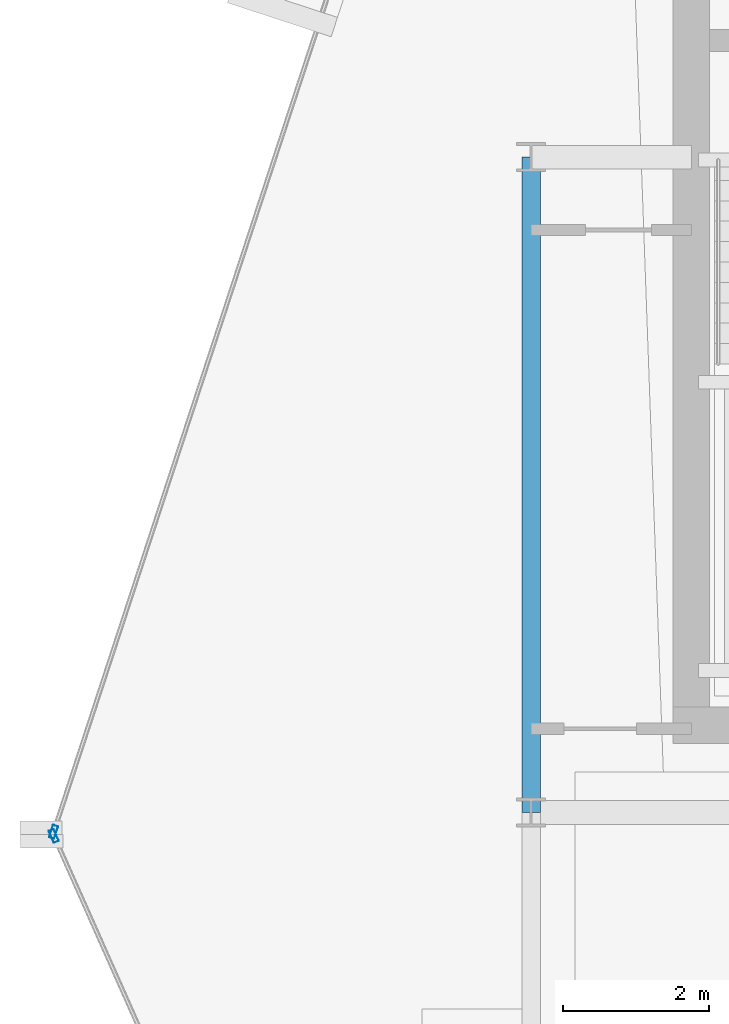
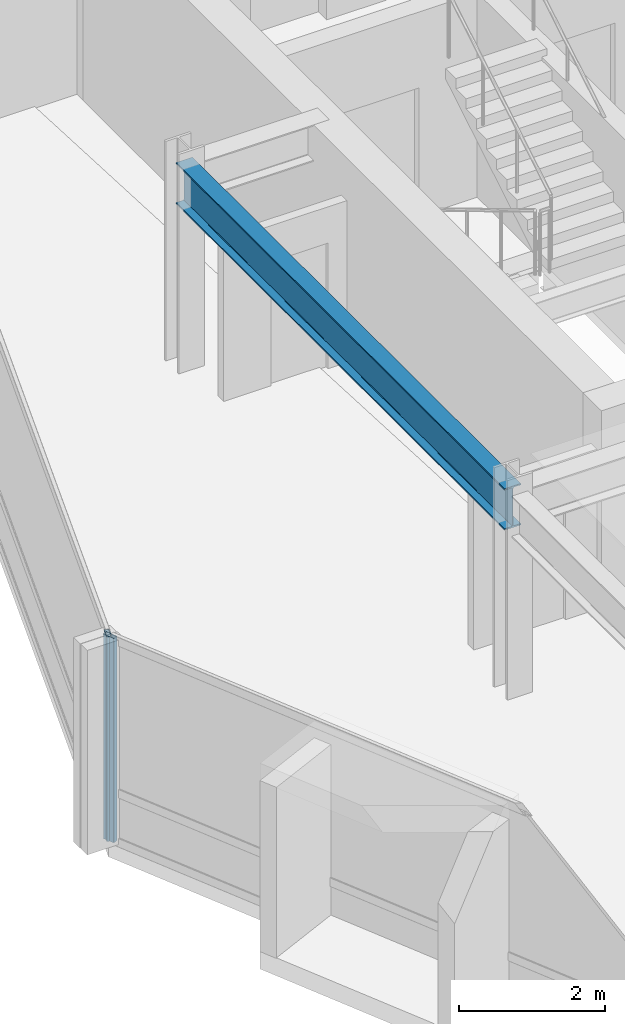
# One storey, part 6 of 28: 2 members, 1 beam, 2 elements without a shape of their own.
"""IFC4 building model written with IfcOpenShell, lengths in metres."""

from ifc_helpers import new_model, si_unit, direction, frame, origin, origin_2d, place, context, subcontext, project, spatial, hollow_rectangle, i_section, extrude, material, layer, layer_set, material_profile, profile_set, type_object, element, aggregate, save


model = new_model("IFC4")

# Units and contexts
model_context = context("Model", 3, precision=1e-05, world=origin(), true_north=direction((0.0, 1.0)))
body_context = subcontext(model_context, "Body", "Model", "MODEL_VIEW")
ifc_project = project(units=[si_unit("LENGTHUNIT", "METRE"), si_unit("AREAUNIT", "SQUARE_METRE"), si_unit("VOLUMEUNIT", "CUBIC_METRE"), si_unit("PLANEANGLEUNIT", "RADIAN"), si_unit("MASSUNIT", "GRAM", prefix="KILO")], contexts=[model_context])

# Site, building, storey
site_placement = place(None, origin())
site = spatial("IfcSite", under=ifc_project, at=site_placement, CompositionType="ELEMENT")
building_placement = place(site_placement, origin())
building = spatial("IfcBuilding", under=site, at=building_placement, Name="Solvaryn Broadcast Tower", CompositionType="ELEMENT")
storey_placement = place(building_placement, frame((0.0, 0.0, 213.60009765625)))
storey = spatial("IfcBuildingStorey", under=building, at=storey_placement, Name="L53", CompositionType="ELEMENT", Elevation=213.60009765625)

# Beam
ifc_material_1 = material(Name="Steel ASTM A992 Grade 50", Category="steel")
ifc_material_profile_1 = material_profile(ifc_material_1, i_section(OverallWidth=0.256103515625, OverallDepth=0.693115234375, WebThickness=0.014404296875, FlangeThickness=0.023681640625, FilletRadius=0.01611328125, at=origin_2d()))
ifc_profile_set_1 = profile_set([ifc_material_profile_1], Name="Steel ASTM A992 Grade 50")
beam_type = type_object("IfcBeamType", Name="BM-SP3-W27X114", PredefinedType="USERDEFINED", material=ifc_profile_set_1)
beam_placement = place(storey_placement, frame((9.0, 27.0, 3.073486328125), z_axis=(0.0, 1.0, 0.0), x_axis=(-1.0, 0.0, 0.0)))
element("IfcBeam", 1, at=beam_placement, inside=storey, type_object=beam_type, Name="L53 Spandrel Beam Y (27-36 @ X=9)", ObjectType="SPANDREL", PredefinedType="USERDEFINED", context=body_context, shape_type="SweptSolid", body=[
    extrude(i_section(OverallWidth=0.256103515625, OverallDepth=0.693115234375, WebThickness=0.014404296875, FlangeThickness=0.023681640625, FilletRadius=0.01611328125, at=origin_2d()), origin(), (0.0, 0.0, 1.0), 9.0),
])

# Curtain wall, member
ifc_material_2 = material(Name="Aluminium and Terracotta Unitised Curtain Wall", Category="masonry")
ifc_layer = layer(ifc_material_2, 0.199951171875)
ifc_layer_set = layer_set([ifc_layer], Name="CW-SYS2-LOWMID")
curtain_wall_type = type_object("IfcCurtainWallType", Name="CW-SYS2-LOWMID", PredefinedType="NOTDEFINED", material=ifc_layer_set)
curtain_wall_1_placement = place(storey_placement, origin())
curtain_wall_1 = element("IfcCurtainWall", 2, at=curtain_wall_1_placement, inside=storey, type_object=curtain_wall_type, Name="L53 Curtain Wall DR1", PredefinedType="NOTDEFINED")
ifc_material_3 = material(Name="Anodised Aluminium 6063-T6", Category="aluminium")
ifc_material_profile_2 = material_profile(ifc_material_3, hollow_rectangle(XDim=0.074951171875, YDim=0.179931640625, WallThickness=0.00390625, InnerFilletRadius=0.00390625, OuterFilletRadius=0.008056640625, at=origin_2d()))
ifc_profile_set_2 = profile_set([ifc_material_profile_2], Name="Anodised Aluminium 6063-T6")
member_type = type_object("IfcMemberType", Name="CW-MUL-180", PredefinedType="MULLION", material=ifc_profile_set_2)
member_1_placement = place(storey_placement, frame((2.4423828125, 26.734619140625, 0.0), z_axis=(0.0, 0.0, 1.0), x_axis=(0.950226902099, -0.311558717623, 0.0)))
member_1 = element("IfcMember", 3, at=member_1_placement, type_object=member_type, Name="CWS2 mullion 2", PredefinedType="MULLION", context=body_context, shape_type="SweptSolid", body=[
    extrude(hollow_rectangle(XDim=0.074951171875, YDim=0.179931640625, WallThickness=0.00390625, InnerFilletRadius=0.00390625, OuterFilletRadius=0.008056640625, at=origin_2d()), origin(), (0.0, 0.0, 1.0), 3.419921875),
])
aggregate(curtain_wall_1, [member_1])

curtain_wall_2_placement = place(storey_placement, origin())
curtain_wall_2 = element("IfcCurtainWall", 4, at=curtain_wall_2_placement, inside=storey, type_object=curtain_wall_type, Name="L53 Curtain Wall DR2", PredefinedType="NOTDEFINED")
member_2_placement = place(storey_placement, frame((2.445068359375, 26.678466796875, 0.0), z_axis=(0.0, 0.0, 1.0), x_axis=(0.913916902365, 0.405901337237, 0.0)))
member_2 = element("IfcMember", 5, at=member_2_placement, type_object=member_type, Name="CWS2 mullion 1", PredefinedType="MULLION", context=body_context, shape_type="SweptSolid", body=[
    extrude(hollow_rectangle(XDim=0.074951171875, YDim=0.179931640625, WallThickness=0.00390625, InnerFilletRadius=0.00390625, OuterFilletRadius=0.008056640625, at=origin_2d()), origin(), (0.0, 0.0, 1.0), 3.419921875),
])
aggregate(curtain_wall_2, [member_2])

save(model, "model.ifc")
